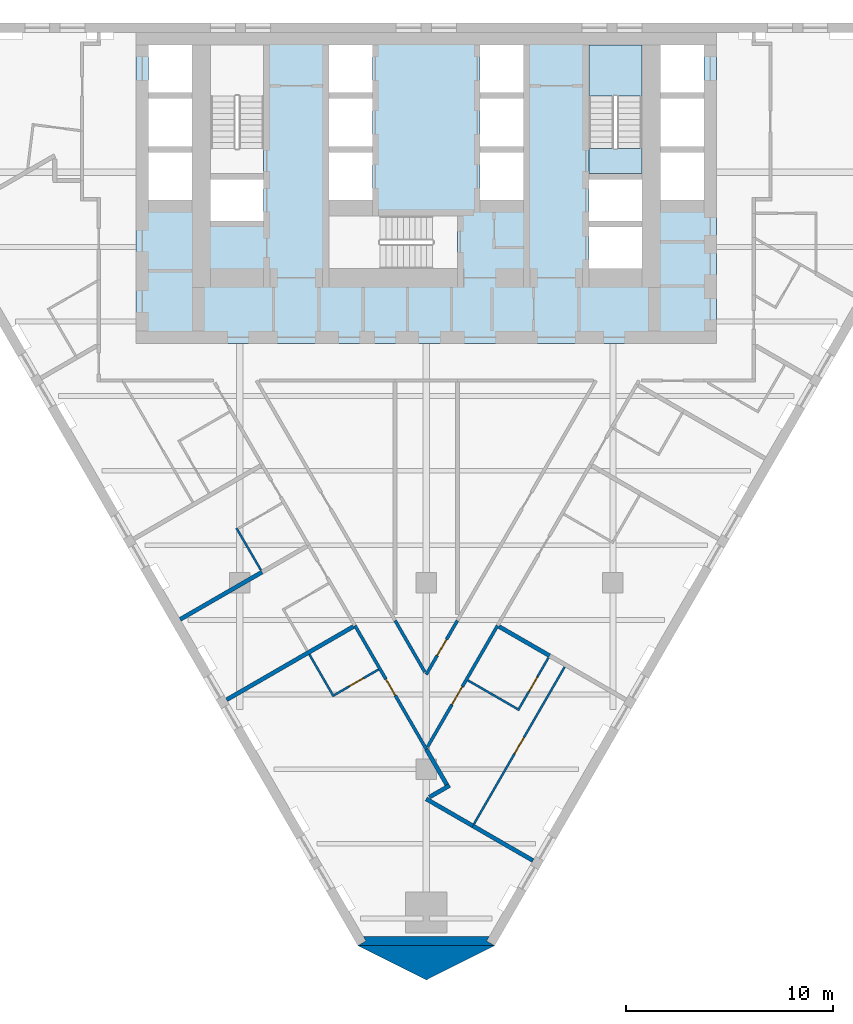
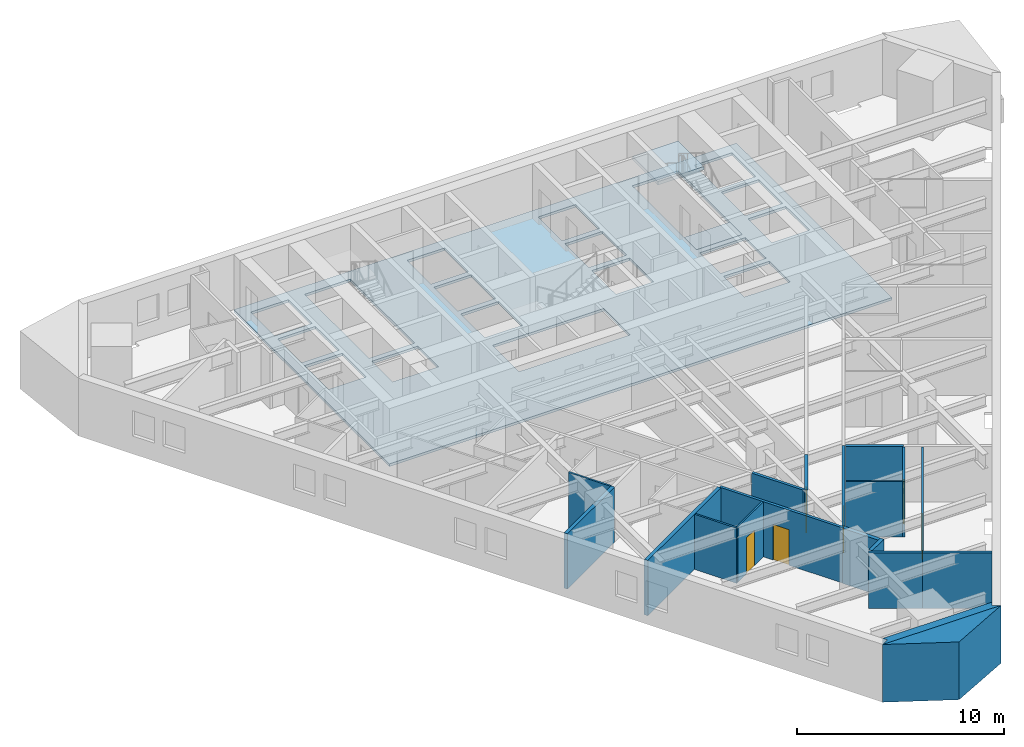
# One storey, part 2 of 10: 19 walls, 6 doors, 3 slabs, 6 openings, 1 element without a shape of its own.
"""IFC4 building model written with IfcOpenShell, lengths in metres."""

from ifc_helpers import new_model, si_unit, direction, frame, frame_2d, origin, place, context, subcontext, project, spatial, polyline, rectangle, outline, extrude, material, layer, layer_set, type_object, element, fill, aggregate, save


model = new_model("IFC4")

# Units and contexts
model_context = context("Model", 3, precision=1e-05, world=origin(), true_north=direction((0.0, 1.0)))
body_context = subcontext(model_context, "Body", "Model", "MODEL_VIEW")
ifc_project = project(units=[si_unit("LENGTHUNIT", "METRE"), si_unit("AREAUNIT", "SQUARE_METRE"), si_unit("VOLUMEUNIT", "CUBIC_METRE"), si_unit("PLANEANGLEUNIT", "RADIAN"), si_unit("MASSUNIT", "GRAM", prefix="KILO")], contexts=[model_context])

# Site, building, storey
site_placement = place(None, origin())
site = spatial("IfcSite", under=ifc_project, at=site_placement, CompositionType="ELEMENT")
building_placement = place(site_placement, origin())
building = spatial("IfcBuilding", under=site, at=building_placement, Name="Aloe Facet Convention Tower", CompositionType="ELEMENT")
storey_placement = place(building_placement, frame((0.0, 0.0, 73.5)))
storey = spatial("IfcBuildingStorey", under=building, at=storey_placement, Name="L17", CompositionType="ELEMENT", Elevation=73.5)

# Slabs
ifc_material_1 = material(Name="Concrete C80/95", Category="concrete")
ifc_layer_1 = layer(ifc_material_1, 0.14990234375)
ifc_layer_set_1 = layer_set([ifc_layer_1], Name="CR-S-FLOOR150-C8095")
slab_type_1 = type_object("IfcSlabType", Name="CR-S-FLOOR150-C8095", PredefinedType="FLOOR", material=ifc_layer_set_1)
slab_1_placement = place(storey_placement, frame((0.0, 0.0, -0.14990234375)))
element("IfcSlab", 1, at=slab_1_placement, inside=storey, type_object=slab_type_1, Name="Core floor L17", PredefinedType="FLOOR", context=body_context, shape_type="SweptSolid", body=[
    extrude(outline(polyline([(69.300048828125, 134.550048828125), (71.85009765625, 134.550048828125), (72.75, 134.550048828125), (74.699951171875, 134.550048828125), (75.60009765625, 134.550048828125), (77.10009765625, 134.550048828125), (78.0, 134.550048828125), (82.0, 134.550048828125), (82.89990234375, 134.550048828125), (84.39990234375, 134.550048828125), (85.300048828125, 134.550048828125), (87.25, 134.550048828125), (88.14990234375, 134.550048828125), (90.699951171875, 134.550048828125), (91.0, 134.550048828125), (94.0, 134.550048828125), (94.0, 131.949951171875), (94.0, 131.050048828125), (94.0, 129.35009765625), (94.0, 128.449951171875), (94.0, 126.449951171875), (94.0, 125.85009765625), (94.0, 124.9736328125), (94.0, 123.923583984375), (94.0, 122.834228515625), (94.0, 121.7841796875), (94.0, 119.550048828125), (91.300048828125, 119.550048828125), (90.699951171875, 119.550048828125), (87.89990234375, 119.550048828125), (86.85009765625, 119.550048828125), (85.699951171875, 119.550048828125), (84.64990234375, 119.550048828125), (83.699951171875, 119.550048828125), (82.64990234375, 119.550048828125), (81.75, 119.550048828125), (80.699951171875, 119.550048828125), (79.61669921875, 119.550048828125), (78.566650390625, 119.550048828125), (77.4833984375, 119.550048828125), (76.433349609375, 119.550048828125), (75.35009765625, 119.550048828125), (74.300048828125, 119.550048828125), (73.14990234375, 119.550048828125), (72.10009765625, 119.550048828125), (69.300048828125, 119.550048828125), (68.699951171875, 119.550048828125), (66.0, 119.550048828125), (66.0, 122.523681640625), (66.0, 123.57373046875), (66.0, 125.85009765625), (66.0, 126.449951171875), (66.0, 128.449951171875), (66.0, 129.35009765625), (66.0, 131.050048828125), (66.0, 131.949951171875), (66.0, 134.550048828125), (69.0, 134.550048828125), (69.300048828125, 134.550048828125)]), holes=[polyline([(75.300048828125, 123.14990234375), (80.298828125, 123.14990234375), (81.5, 123.14990234375), (81.5, 125.699951171875), (80.298828125, 125.699951171875), (75.300048828125, 125.699951171875), (75.300048828125, 123.14990234375)]), polyline([(69.60009765625, 125.449951171875), (72.14990234375, 125.449951171875), (72.14990234375, 127.449951171875), (69.60009765625, 127.449951171875), (69.60009765625, 125.449951171875)]), polyline([(66.60009765625, 126.449951171875), (68.699951171875, 126.449951171875), (68.699951171875, 128.75), (66.60009765625, 128.75), (66.60009765625, 126.449951171875)]), polyline([(75.300048828125, 126.449951171875), (77.39990234375, 126.449951171875), (77.39990234375, 128.75), (75.300048828125, 128.75), (75.300048828125, 126.449951171875)]), polyline([(66.60009765625, 129.050048828125), (68.699951171875, 129.050048828125), (68.699951171875, 131.35009765625), (66.60009765625, 131.35009765625), (66.60009765625, 129.050048828125)]), polyline([(75.300048828125, 129.050048828125), (77.39990234375, 129.050048828125), (77.39990234375, 131.35009765625), (75.300048828125, 131.35009765625), (75.300048828125, 129.050048828125)]), polyline([(69.60009765625, 133.949951171875), (69.60009765625, 128.951171875), (69.60009765625, 127.75), (72.14990234375, 127.75), (72.14990234375, 128.951171875), (72.14990234375, 133.949951171875), (69.60009765625, 133.949951171875)]), polyline([(66.60009765625, 133.949951171875), (66.60009765625, 131.64990234375), (68.699951171875, 131.64990234375), (68.699951171875, 133.949951171875), (66.60009765625, 133.949951171875)]), polyline([(75.300048828125, 133.949951171875), (75.300048828125, 131.64990234375), (77.39990234375, 131.64990234375), (77.39990234375, 133.949951171875), (75.300048828125, 133.949951171875)]), polyline([(87.85009765625, 123.14990234375), (90.39990234375, 123.14990234375), (90.39990234375, 125.14990234375), (87.85009765625, 125.14990234375), (87.85009765625, 123.14990234375)]), polyline([(87.85009765625, 125.449951171875), (90.39990234375, 125.449951171875), (90.39990234375, 127.449951171875), (87.85009765625, 127.449951171875), (87.85009765625, 125.449951171875)]), polyline([(82.60009765625, 126.449951171875), (84.699951171875, 126.449951171875), (84.699951171875, 128.75), (82.60009765625, 128.75), (82.60009765625, 126.449951171875)]), polyline([(91.300048828125, 126.449951171875), (93.39990234375, 126.449951171875), (93.39990234375, 128.75), (91.300048828125, 128.75), (91.300048828125, 126.449951171875)]), polyline([(82.60009765625, 129.050048828125), (84.699951171875, 129.050048828125), (84.699951171875, 131.35009765625), (82.60009765625, 131.35009765625), (82.60009765625, 129.050048828125)]), polyline([(91.300048828125, 129.050048828125), (93.39990234375, 129.050048828125), (93.39990234375, 131.35009765625), (91.300048828125, 131.35009765625), (91.300048828125, 129.050048828125)]), polyline([(87.85009765625, 133.949951171875), (87.85009765625, 128.951171875), (87.85009765625, 127.75), (90.39990234375, 127.75), (90.39990234375, 128.951171875), (90.39990234375, 133.949951171875), (87.85009765625, 133.949951171875)]), polyline([(82.60009765625, 133.949951171875), (82.60009765625, 131.64990234375), (84.699951171875, 131.64990234375), (84.699951171875, 133.949951171875), (82.60009765625, 133.949951171875)]), polyline([(91.300048828125, 133.949951171875), (91.300048828125, 131.64990234375), (93.39990234375, 131.64990234375), (93.39990234375, 133.949951171875), (91.300048828125, 133.949951171875)])]), origin(), (0.0, 0.0, 1.0), 0.14990234375),
])
ifc_material_2 = material(Name="Concrete C80/95", Category="concrete")
ifc_layer_2 = layer(ifc_material_2, 0.300048828125)
ifc_layer_set_2 = layer_set([ifc_layer_2], Name="CR-S-FLOOR300-C8095")
slab_type_2 = type_object("IfcSlabType", Name="CR-S-FLOOR300-C8095", PredefinedType="FLOOR", material=ifc_layer_set_2)
slab_2_placement = place(storey_placement, frame((0.0, 0.0, -0.300048828125)))
element("IfcSlab", 2, at=slab_2_placement, inside=storey, type_object=slab_type_2, Name="Stair landing floor L17", PredefinedType="FLOOR", context=body_context, shape_type="SweptSolid", body=[
    extrude(outline(polyline([(90.39990234375, 127.75), (90.39990234375, 128.951171875), (87.85009765625, 128.951171875), (87.85009765625, 127.75), (90.39990234375, 127.75)])), origin(), (0.0, 0.0, 1.0), 0.300048828125),
])

# Stair, slab
ifc_material_3 = material(Name="Concrete C50/60", Category="concrete")
stair_type = type_object("IfcStairType", Name="CR-ST-20R", PredefinedType="HALF_TURN_STAIR", material=ifc_material_3)
stair_placement = place(storey_placement, origin())
stair = element("IfcStair", 3, at=stair_placement, inside=storey, type_object=stair_type, Name="L17 Protected exit stair ST2", PredefinedType="HALF_TURN_STAIR")
ifc_material_4 = material(Name="Concrete C50/60", Category="concrete")
ifc_layer_3 = layer(ifc_material_4, 0.199951171875)
ifc_layer_set_3 = layer_set([ifc_layer_3], Name="CR-SL-LANDING")
slab_type_3 = type_object("IfcSlabType", Name="CR-SL-LANDING", PredefinedType="LANDING", material=ifc_layer_set_3)
slab_3_placement = place(storey_placement, frame((0.0, 0.0, 1.550048828125)))
slab_3 = element("IfcSlab", 4, at=slab_3_placement, type_object=slab_type_3, Name="ST2 landing 1", PredefinedType="LANDING", context=body_context, shape_type="SweptSolid", body=[
    extrude(outline(polyline([(90.39990234375, 131.469970703125), (90.39990234375, 133.949951171875), (87.85009765625, 133.949951171875), (87.85009765625, 131.469970703125), (90.39990234375, 131.469970703125)])), origin(), (0.0, 0.0, 1.0), 0.199951171875),
])
aggregate(stair, [slab_3])

# Walls
ifc_material_5 = material(Name="Precast concrete C40/50", Category="concrete")
ifc_layer_4 = layer(ifc_material_5, 0.449951171875)
ifc_layer_set_4 = layer_set([ifc_layer_4], Name="EV-WALL-PIER")
wall_type_1 = type_object("IfcWallType", Name="EV-WALL-PIER", PredefinedType="SOLIDWALL", material=ifc_layer_set_4)
wall_1_placement = place(storey_placement, frame((0.0, 0.0, -0.14990234375)))
element("IfcWall", 5, at=wall_1_placement, inside=storey, type_object=wall_type_1, Name="EP-L17-B", PredefinedType="SOLIDWALL", context=body_context, shape_type="SweptSolid", body=[
    extrude(outline(polyline([(76.699951171875, 90.486328125), (77.089599609375, 90.711181640625), (76.959716796875, 90.936279296875), (83.040283203125, 90.936279296875), (82.910400390625, 90.711181640625), (83.300048828125, 90.486328125), (76.699951171875, 90.486328125)])), origin(), (0.0, 0.0, 1.0), 3.39990234375),
])
ifc_material_6 = material(Name="Precast concrete C40/50", Category="concrete")
ifc_layer_5 = layer(ifc_material_6, 3.947998046875)
ifc_layer_set_5 = layer_set([ifc_layer_5], Name="EV-WALL-SPINE")
wall_type_2 = type_object("IfcWallType", Name="EV-WALL-SPINE", PredefinedType="SOLIDWALL", material=ifc_layer_set_5)
wall_2_placement = place(storey_placement, frame((0.0, 0.0, -0.14990234375)))
element("IfcWall", 6, at=wall_2_placement, inside=storey, type_object=wall_type_2, Name="SP-S-L17", PredefinedType="SOLIDWALL", context=body_context, shape_type="SweptSolid", body=[
    extrude(outline(polyline([(76.699951171875, 90.486328125), (80.0, 88.83056640625), (83.300048828125, 90.486328125), (76.699951171875, 90.486328125)])), origin(), (0.0, 0.0, 1.0), 3.39990234375),
])

# Wall, opening, door
ifc_material_7 = material(Name="Gypsum board partition on steel studs", Category="steel")
ifc_layer_6 = layer(ifc_material_7, 0.14990234375)
ifc_layer_set_6 = layer_set([ifc_layer_6], Name="IN-W-CORR")
wall_type_3 = type_object("IfcWallType", Name="IN-W-CORR", PredefinedType="PARTITIONING", material=ifc_layer_set_6)
wall_3_placement = place(storey_placement, frame((76.561767578125, 105.92578125, 0.0), z_axis=(0.0, 0.0, 1.0), x_axis=(0.499991875518, -0.866030094405, 0.0)))
wall_3 = element("IfcWall", 7, at=wall_3_placement, inside=storey, type_object=wall_type_3, Name="Partition L17-W005", PredefinedType="PARTITIONING", context=body_context, shape_type="SweptSolid", body=[
    extrude(rectangle(XDim=6.87646484375, YDim=0.14990234375, at=frame_2d((3.438232421875, 0.0))), origin(), (0.0, 0.0, 1.0), 3.25),
])
opening_1_placement = place(wall_3_placement, frame((2.98828125, 0.0, 0.0)))
opening_1 = element("IfcOpeningElement", 8, at=opening_1_placement, cuts=wall_3, Name="Opening L17-007", PredefinedType="OPENING", context=body_context, shape_type="SweptSolid", body=[
    extrude(rectangle(XDim=0.89990234375, YDim=2.10009765625, at=frame_2d((0.449951171875, 1.050048828125))), frame((0.0, 0.0849609375, 0.0), z_axis=(0.0, -1.0, 0.0), x_axis=(1.0, 0.0, 0.0)), (0.0, 0.0, 1.0), 0.169921875),
])
ifc_material_8 = material(Name="Hardwood flush door FD30S", Category="wood")
door_type_1 = type_object("IfcDoorType", Name="IN-D-GUEST", OperationType="SINGLE_SWING_LEFT", PredefinedType="DOOR", material=ifc_material_8)
door_1_placement = place(opening_1_placement, origin())
door_1 = element("IfcDoor", 9, at=door_1_placement, inside=storey, type_object=door_type_1, Name="Door L17-007", OperationType="SINGLE_SWING_LEFT", OverallHeight=2.10009765625, OverallWidth=0.89990234375, PredefinedType="DOOR", context=body_context, shape_type="SweptSolid", body=[
    extrude(rectangle(XDim=0.89990234375, YDim=2.10009765625, at=frame_2d((0.449951171875, 1.050048828125))), frame((0.0, 0.02490234375, 0.0), z_axis=(0.0, -1.0, 0.0), x_axis=(1.0, 0.0, 0.0)), (0.0, 0.0, 1.0), 0.050048828125),
])
fill(opening_1, door_1)

wall_4_placement = place(storey_placement, frame((80.06005859375, 100.074462890625, 0.0), z_axis=(0.0, 0.0, 1.0), x_axis=(0.499990408976, 0.866030941094, 0.0)))
wall_4 = element("IfcWall", 10, at=wall_4_placement, inside=storey, type_object=wall_type_3, Name="Partition L17-W006", PredefinedType="PARTITIONING", context=body_context, shape_type="SweptSolid", body=[
    extrude(rectangle(XDim=6.756591796875, YDim=0.14990234375, at=frame_2d((3.37841796875, 0.0))), origin(), (0.0, 0.0, 1.0), 3.25),
])
opening_2_placement = place(wall_4_placement, frame((2.362548828125, 0.0, 0.0)))
opening_2 = element("IfcOpeningElement", 11, at=opening_2_placement, cuts=wall_4, Name="Opening L17-016", PredefinedType="OPENING", context=body_context, shape_type="SweptSolid", body=[
    extrude(rectangle(XDim=1.0, YDim=2.10009765625, at=frame_2d((0.5, 1.050048828125))), frame((0.0, 0.0849609375, 0.0), z_axis=(0.0, -1.0, 0.0), x_axis=(1.0, 0.0, 0.0)), (0.0, 0.0, 1.0), 0.169921875),
])
ifc_material_9 = material(Name="Hardwood flush door FD30S", Category="wood")
door_type_2 = type_object("IfcDoorType", Name="IN-D-WIDE", OperationType="SINGLE_SWING_LEFT", PredefinedType="DOOR", material=ifc_material_9)
door_2_placement = place(opening_2_placement, origin())
door_2 = element("IfcDoor", 12, at=door_2_placement, inside=storey, type_object=door_type_2, Name="Door L17-016", OperationType="SINGLE_SWING_LEFT", OverallHeight=2.10009765625, OverallWidth=1.0, PredefinedType="DOOR", context=body_context, shape_type="SweptSolid", body=[
    extrude(rectangle(XDim=1.0, YDim=2.10009765625, at=frame_2d((0.5, 1.050048828125))), frame((0.0, 0.02490234375, 0.0), z_axis=(0.0, -1.0, 0.0), x_axis=(1.0, 0.0, 0.0)), (0.0, 0.0, 1.0), 0.050048828125),
])
fill(opening_2, door_2)

wall_5_placement = place(storey_placement, frame((80.0, 103.570556640625, 0.0), z_axis=(0.0, 0.0, 1.0), x_axis=(0.499985098601, 0.86603400694, 0.0)))
wall_5 = element("IfcWall", 13, at=wall_5_placement, inside=storey, type_object=wall_type_3, Name="Partition L17-W014", PredefinedType="PARTITIONING", context=body_context, shape_type="SweptSolid", body=[
    extrude(rectangle(XDim=3.00390625, YDim=0.14990234375, at=frame_2d((1.501953125, 0.0))), origin(), (0.0, 0.0, 1.0), 3.25),
])
opening_3_placement = place(wall_5_placement, frame((1.052001953125, 0.0, 0.0)))
opening_3 = element("IfcOpeningElement", 14, at=opening_3_placement, cuts=wall_5, Name="Opening L17-013", PredefinedType="OPENING", context=body_context, shape_type="SweptSolid", body=[
    extrude(rectangle(XDim=0.89990234375, YDim=2.10009765625, at=frame_2d((0.449951171875, 1.050048828125))), frame((0.0, 0.0849609375, 0.0), z_axis=(0.0, -1.0, 0.0), x_axis=(1.0, 0.0, 0.0)), (0.0, 0.0, 1.0), 0.169921875),
])
door_3_placement = place(opening_3_placement, origin())
door_3 = element("IfcDoor", 15, at=door_3_placement, inside=storey, type_object=door_type_1, Name="Door L17-013", OperationType="SINGLE_SWING_LEFT", OverallHeight=2.10009765625, OverallWidth=0.89990234375, PredefinedType="DOOR", context=body_context, shape_type="SweptSolid", body=[
    extrude(rectangle(XDim=0.89990234375, YDim=2.10009765625, at=frame_2d((0.449951171875, 1.050048828125))), frame((0.0, 0.02490234375, 0.0), z_axis=(0.0, -1.0, 0.0), x_axis=(1.0, 0.0, 0.0)), (0.0, 0.0, 1.0), 0.050048828125),
])
fill(opening_3, door_3)

# Wall
wall_6_placement = place(storey_placement, frame((78.498046875, 106.172119140625, 0.0), z_axis=(0.0, 0.0, 1.0), x_axis=(0.499994521305, -0.866028566888, 0.0)))
element("IfcWall", 16, at=wall_6_placement, inside=storey, type_object=wall_type_3, Name="Partition L17-W032", PredefinedType="PARTITIONING", context=body_context, shape_type="SweptSolid", body=[
    extrude(rectangle(XDim=2.8740234375, YDim=0.14990234375, at=frame_2d((1.43701171875, 0.0))), origin(), (0.0, 0.0, 1.0), 3.25),
])

# Wall, opening, door
ifc_material_10 = material(Name="Gypsum board partition on steel studs", Category="steel")
ifc_layer_7 = layer(ifc_material_10, 0.10009765625)
ifc_layer_set_7 = layer_set([ifc_layer_7], Name="IN-W-PART")
wall_type_4 = type_object("IfcWallType", Name="IN-W-PART", PredefinedType="PARTITIONING", material=ifc_layer_set_7)
wall_7_placement = place(storey_placement, frame((84.424560546875, 101.834228515625, 0.0), z_axis=(0.0, 0.0, 1.0), x_axis=(0.500050696077, 0.865996132412, 0.0)))
wall_7 = element("IfcWall", 17, at=wall_7_placement, inside=storey, type_object=wall_type_4, Name="Partition L17-W007", PredefinedType="PARTITIONING", context=body_context, shape_type="SweptSolid", body=[
    extrude(rectangle(XDim=2.940185546875, YDim=0.10009765625, at=frame_2d((1.47021484375, 0.0))), origin(), (0.0, 0.0, 1.0), 3.25),
])
opening_4_placement = place(wall_7_placement, frame((1.070068359375, 0.0, 0.0)))
opening_4 = element("IfcOpeningElement", 18, at=opening_4_placement, cuts=wall_7, Name="Opening L17-025", PredefinedType="OPENING", context=body_context, shape_type="SweptSolid", body=[
    extrude(rectangle(XDim=0.800048828125, YDim=2.10009765625, at=frame_2d((0.39990234375, 1.050048828125))), frame((0.0, 0.06005859375, 0.0), z_axis=(0.0, -1.0, 0.0), x_axis=(1.0, 0.0, 0.0)), (0.0, 0.0, 1.0), 0.1201171875),
])
ifc_material_11 = material(Name="Timber flush door", Category="wood")
door_type_3 = type_object("IfcDoorType", Name="IN-D-BATH", OperationType="SINGLE_SWING_LEFT", PredefinedType="DOOR", material=ifc_material_11)
door_4_placement = place(opening_4_placement, origin())
door_4 = element("IfcDoor", 19, at=door_4_placement, inside=storey, type_object=door_type_3, Name="Door L17-025", OperationType="SINGLE_SWING_LEFT", OverallHeight=2.10009765625, OverallWidth=0.800048828125, PredefinedType="DOOR", context=body_context, shape_type="SweptSolid", body=[
    extrude(rectangle(XDim=0.800048828125, YDim=2.10009765625, at=frame_2d((0.39990234375, 1.050048828125))), frame((0.0, 0.02490234375, 0.0), z_axis=(0.0, -1.0, 0.0), x_axis=(1.0, 0.0, 0.0)), (0.0, 0.0, 1.0), 0.050048828125),
])
fill(opening_4, door_4)

# Walls
wall_8_placement = place(storey_placement, frame((74.360107421875, 104.5390625, 0.0), z_axis=(0.0, 0.0, 1.0), x_axis=(0.500016218704, -0.866016039709, 0.0)))
element("IfcWall", 20, at=wall_8_placement, inside=storey, type_object=wall_type_4, Name="Partition L17-W010", PredefinedType="PARTITIONING", context=body_context, shape_type="SweptSolid", body=[
    extrude(rectangle(XDim=2.35009765625, YDim=0.10009765625, at=frame_2d((1.175048828125, 0.0))), origin(), (0.0, 0.0, 1.0), 3.25),
])
wall_9_placement = place(storey_placement, frame((82.01171875, 103.28515625, 0.0), z_axis=(0.0, 0.0, 1.0), x_axis=(0.866042447288, -0.499970478624, 0.0)))
element("IfcWall", 21, at=wall_9_placement, inside=storey, type_object=wall_type_4, Name="Partition L17-W012", PredefinedType="PARTITIONING", context=body_context, shape_type="SweptSolid", body=[
    extrude(rectangle(XDim=2.755126953125, YDim=0.10009765625, at=frame_2d((1.37744140625, 0.0))), origin(), (0.0, 0.0, 1.0), 3.25),
])

# Wall, opening, door
wall_10_placement = place(storey_placement, frame((75.56201171875, 102.5771484375, 0.0), z_axis=(0.0, 0.0, 1.0), x_axis=(0.865997559407, 0.500048224776, 0.0)))
wall_10 = element("IfcWall", 22, at=wall_10_placement, inside=storey, type_object=wall_type_4, Name="Partition L17-W015", PredefinedType="PARTITIONING", context=body_context, shape_type="SweptSolid", body=[
    extrude(rectangle(XDim=2.465087890625, YDim=0.10009765625, at=frame_2d((1.232421875, 0.0))), origin(), (0.0, 0.0, 1.0), 3.25),
])
opening_5_placement = place(wall_10_placement, frame((0.83251953125, 0.0, 0.0)))
opening_5 = element("IfcOpeningElement", 23, at=opening_5_placement, cuts=wall_10, Name="Opening L17-024", PredefinedType="OPENING", context=body_context, shape_type="SweptSolid", body=[
    extrude(rectangle(XDim=0.800048828125, YDim=2.10009765625, at=frame_2d((0.39990234375, 1.050048828125))), frame((0.0, 0.06005859375, 0.0), z_axis=(0.0, -1.0, 0.0), x_axis=(1.0, 0.0, 0.0)), (0.0, 0.0, 1.0), 0.1201171875),
])
door_5_placement = place(opening_5_placement, origin())
door_5 = element("IfcDoor", 24, at=door_5_placement, inside=storey, type_object=door_type_3, Name="Door L17-024", OperationType="SINGLE_SWING_LEFT", OverallHeight=2.10009765625, OverallWidth=0.800048828125, PredefinedType="DOOR", context=body_context, shape_type="SweptSolid", body=[
    extrude(rectangle(XDim=0.800048828125, YDim=2.10009765625, at=frame_2d((0.39990234375, 1.050048828125))), frame((0.0, 0.02490234375, 0.0), z_axis=(0.0, -1.0, 0.0), x_axis=(1.0, 0.0, 0.0)), (0.0, 0.0, 1.0), 0.050048828125),
])
fill(opening_5, door_5)

wall_11_placement = place(storey_placement, frame((82.30419921875, 96.361328125, 0.0), z_axis=(0.0, 0.0, 1.0), x_axis=(0.499987630939, 0.866032544947, 0.0)))
wall_11 = element("IfcWall", 25, at=wall_11_placement, inside=storey, type_object=wall_type_4, Name="Partition L17-W016", PredefinedType="PARTITIONING", context=body_context, shape_type="SweptSolid", body=[
    extrude(rectangle(XDim=8.739990234375, YDim=0.10009765625, at=frame_2d((4.3701171875, 0.0))), origin(), (0.0, 0.0, 1.0), 3.25),
])
opening_6_placement = place(wall_11_placement, frame((3.919921875, 0.0, 0.0)))
opening_6 = element("IfcOpeningElement", 26, at=opening_6_placement, cuts=wall_11, Name="Opening L17-026", PredefinedType="OPENING", context=body_context, shape_type="SweptSolid", body=[
    extrude(rectangle(XDim=0.89990234375, YDim=2.10009765625, at=frame_2d((0.449951171875, 1.050048828125))), frame((0.0, 0.06005859375, 0.0), z_axis=(0.0, -1.0, 0.0), x_axis=(1.0, 0.0, 0.0)), (0.0, 0.0, 1.0), 0.1201171875),
])
ifc_material_12 = material(Name="Timber flush door", Category="wood")
door_type_4 = type_object("IfcDoorType", Name="IN-D-INT", OperationType="SINGLE_SWING_LEFT", PredefinedType="DOOR", material=ifc_material_12)
door_6_placement = place(opening_6_placement, origin())
door_6 = element("IfcDoor", 27, at=door_6_placement, inside=storey, type_object=door_type_4, Name="Door L17-026", OperationType="SINGLE_SWING_LEFT", OverallHeight=2.10009765625, OverallWidth=0.89990234375, PredefinedType="DOOR", context=body_context, shape_type="SweptSolid", body=[
    extrude(rectangle(XDim=0.89990234375, YDim=2.10009765625, at=frame_2d((0.449951171875, 1.050048828125))), frame((0.0, 0.02490234375, 0.0), z_axis=(0.0, -1.0, 0.0), x_axis=(1.0, 0.0, 0.0)), (0.0, 0.0, 1.0), 0.050048828125),
])
fill(opening_6, door_6)

# Walls
wall_12_placement = place(storey_placement, frame((70.844970703125, 110.627197265625, 0.0), z_axis=(0.0, 0.0, 1.0), x_axis=(0.503592070056, -0.863941564561, 0.0)))
element("IfcWall", 28, at=wall_12_placement, inside=storey, type_object=wall_type_4, Name="Partition L17-W040", PredefinedType="PARTITIONING", context=body_context, shape_type="SweptSolid", body=[
    extrude(rectangle(XDim=2.340087890625, YDim=0.10009765625, at=frame_2d((1.169921875, 0.0))), origin(), (0.0, 0.0, 1.0), 3.25),
])
ifc_material_13 = material(Name="Gypsum board partition on steel studs", Category="steel")
ifc_layer_8 = layer(ifc_material_13, 0.199951171875)
ifc_layer_set_8 = layer_set([ifc_layer_8], Name="IN-W-PARTY")
wall_type_5 = type_object("IfcWallType", Name="IN-W-PARTY", PredefinedType="PARTITIONING", material=ifc_layer_set_8)
wall_13_placement = place(storey_placement, frame((82.2490234375, 96.26611328125, 0.0), z_axis=(0.0, 0.0, 1.0), x_axis=(0.866032680314, -0.499987396469, 0.0)))
element("IfcWall", 29, at=wall_13_placement, inside=storey, type_object=wall_type_5, Name="Partition L17-W001", PredefinedType="PARTITIONING", context=body_context, shape_type="SweptSolid", body=[
    extrude(rectangle(XDim=3.35009765625, YDim=0.199951171875, at=frame_2d((1.675048828125, 0.0))), origin(), (0.0, 0.0, 1.0), 3.25),
])
wall_14_placement = place(storey_placement, frame((80.0, 97.564697265625, 0.0), z_axis=(0.0, 0.0, 1.0), x_axis=(0.866007112766, -0.500031679635, 0.0)))
element("IfcWall", 30, at=wall_14_placement, inside=storey, type_object=wall_type_5, Name="Partition L17-W002", PredefinedType="PARTITIONING", context=body_context, shape_type="SweptSolid", body=[
    extrude(rectangle(XDim=2.596923828125, YDim=0.199951171875, at=frame_2d((1.29833984375, 0.0))), origin(), (0.0, 0.0, 1.0), 3.25),
])
wall_15_placement = place(storey_placement, frame((80.14990234375, 97.651123046875, 0.0), z_axis=(0.0, 0.0, 1.0), x_axis=(0.866027263711, 0.4999967785, 0.0)))
element("IfcWall", 31, at=wall_15_placement, inside=storey, type_object=wall_type_5, Name="Partition L17-W003", PredefinedType="PARTITIONING", context=body_context, shape_type="SweptSolid", body=[
    extrude(rectangle(XDim=1.1298828125, YDim=0.199951171875, at=frame_2d((0.56494140625, 0.0))), origin(), (0.0, 0.0, 1.0), 3.25),
])
wall_16_placement = place(storey_placement, frame((80.0, 99.970458984375, 0.0), z_axis=(0.0, 0.0, 1.0), x_axis=(0.49997816789, -0.866038008192, 0.0)))
element("IfcWall", 32, at=wall_16_placement, inside=storey, type_object=wall_type_5, Name="Partition L17-W004", PredefinedType="PARTITIONING", context=body_context, shape_type="SweptSolid", body=[
    extrude(rectangle(XDim=1.9833984375, YDim=0.199951171875, at=frame_2d((0.99169921875, 0.0))), origin(), (0.0, 0.0, 1.0), 3.25),
])
wall_17_placement = place(storey_placement, frame((70.36962890625, 102.3505859375, 0.0), z_axis=(0.0, 0.0, 1.0), x_axis=(0.866033669941, 0.499985682323, 0.0)))
element("IfcWall", 33, at=wall_17_placement, inside=storey, type_object=wall_type_5, Name="Partition L17-W008", PredefinedType="PARTITIONING", context=body_context, shape_type="SweptSolid", body=[
    extrude(rectangle(XDim=7.065185546875, YDim=0.199951171875, at=frame_2d((3.53271484375, 0.0))), origin(), (0.0, 0.0, 1.0), 3.25),
])
wall_18_placement = place(storey_placement, frame((83.51171875, 105.883056640625, 0.0), z_axis=(0.0, 0.0, 1.0), x_axis=(0.866041167766, -0.49997269499, 0.0)))
element("IfcWall", 34, at=wall_18_placement, inside=storey, type_object=wall_type_5, Name="Partition L17-W031", PredefinedType="PARTITIONING", context=body_context, shape_type="SweptSolid", body=[
    extrude(rectangle(XDim=2.815185546875, YDim=0.199951171875, at=frame_2d((1.40771484375, 0.0))), origin(), (0.0, 0.0, 1.0), 3.25),
])
wall_19_placement = place(storey_placement, frame((68.129638671875, 106.23046875, 0.0), z_axis=(0.0, 0.0, 1.0), x_axis=(0.866030456496, 0.499991248344, 0.0)))
element("IfcWall", 35, at=wall_19_placement, inside=storey, type_object=wall_type_5, Name="Partition L17-W036", PredefinedType="PARTITIONING", context=body_context, shape_type="SweptSolid", body=[
    extrude(rectangle(XDim=4.56005859375, YDim=0.199951171875, at=frame_2d((2.280029296875, 0.0))), origin(), (0.0, 0.0, 1.0), 3.25),
])

save(model, "model.ifc")
